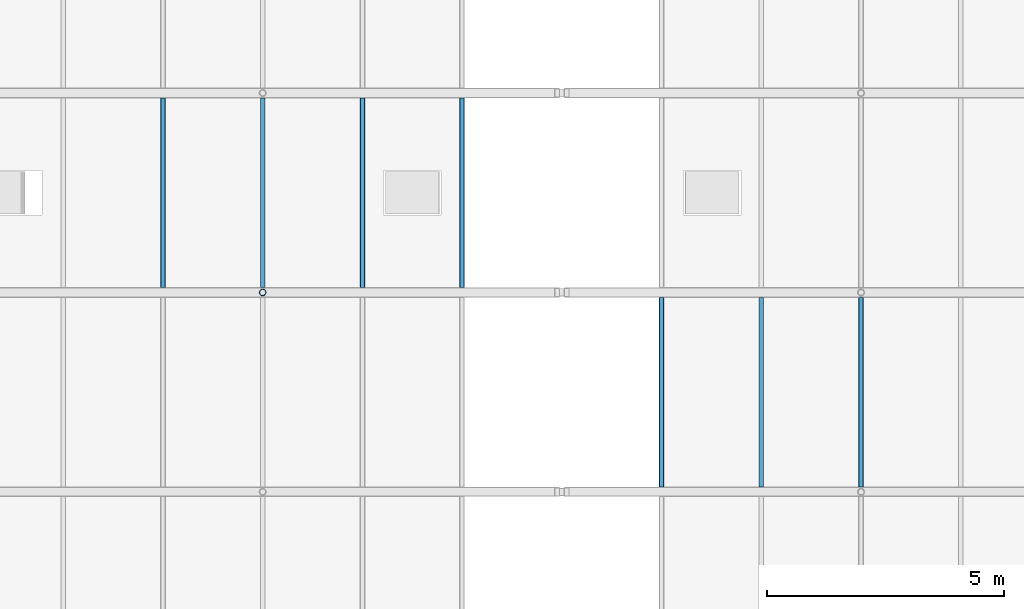
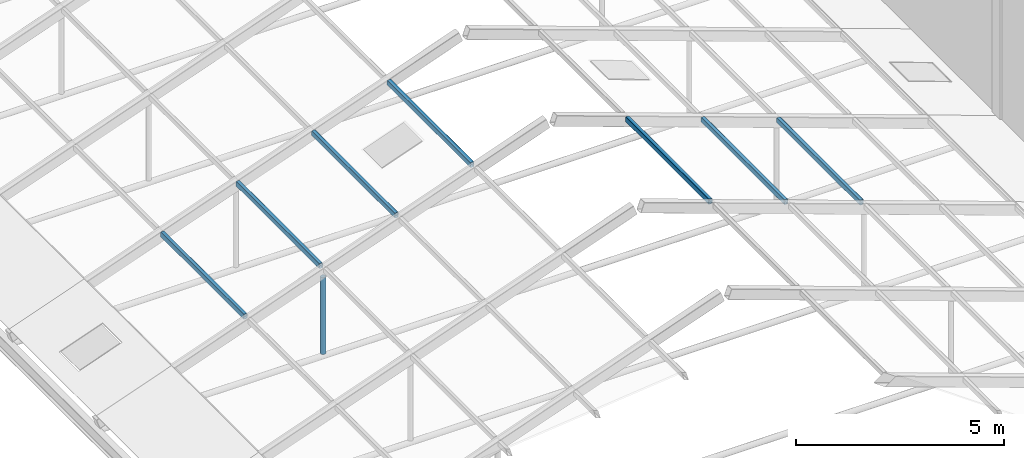
# One storey, part 54 of 116: 8 members.
"""IFC4 building model written with IfcOpenShell, lengths in metres."""

from ifc_helpers import new_model, si_unit, direction, frame, origin, origin_2d, place, context, subcontext, project, spatial, hollow_rectangle, hollow_circle, extrude, material, material_profile, profile_set, type_object, element, save


model = new_model("IFC4")

# Units and contexts
model_context = context("Model", 3, precision=1e-05, world=origin(), true_north=direction((0.0, 1.0)))
body_context = subcontext(model_context, "Body", "Model", "MODEL_VIEW")
ifc_project = project(units=[si_unit("LENGTHUNIT", "METRE"), si_unit("AREAUNIT", "SQUARE_METRE"), si_unit("VOLUMEUNIT", "CUBIC_METRE"), si_unit("PLANEANGLEUNIT", "RADIAN"), si_unit("MASSUNIT", "GRAM", prefix="KILO")], contexts=[model_context])

# Site, building, storey
site_placement = place(None, origin())
site = spatial("IfcSite", under=ifc_project, at=site_placement, CompositionType="ELEMENT")
building_placement = place(site_placement, origin())
building = spatial("IfcBuilding", under=site, at=building_placement, Name="Fescue Hill Polytechnic", CompositionType="ELEMENT")
storey_placement = place(building_placement, frame((0.0, 0.0, 13.5)))
storey = spatial("IfcBuildingStorey", under=building, at=storey_placement, Name="L03", CompositionType="ELEMENT", Elevation=13.5)

# Members
ifc_material = material(Name="Steel 350W (350 MPa)", Category="steel")
ifc_material_profile_1 = material_profile(ifc_material, hollow_rectangle(XDim=0.1015625, YDim=0.15234375, WallThickness=0.00634765625, InnerFilletRadius=0.00634765625, OuterFilletRadius=0.0126953125, at=origin_2d()), Name="Winter garden glazing purlin HSS 152x102x6.4")
ifc_profile_set_1 = profile_set([ifc_material_profile_1], Name="Steel 350W (350 MPa)")
member_type_1 = type_object("IfcMemberType", Name="Winter garden glazing purlin HSS 152x102x6.4", PredefinedType="PURLIN", material=ifc_profile_set_1)
for number, where, z_axis, x_axis, name in (
    (1, (96.599853515625, 84.1015625, 2.164306640625), (0.0, 1.0, 0.0), (-1.0, 0.0, 0.0), "Winter garden glazing purlin W2 bay 9"),
    (2, (98.69970703125, 84.1015625, 2.914306640625), (0.0, 1.0, 0.0), (-1.0, 0.0, 0.0), "Winter garden glazing purlin W3 bay 9"),
    (3, (100.799560546875, 84.1015625, 3.664306640625), (0.0, 1.0, 0.0), (-1.0, 0.0, 0.0), "Winter garden glazing purlin W4 bay 9"),
    (4, (102.899658203125, 84.1015625, 4.414306640625), (0.0, 1.0, 0.0), (-1.0, 0.0, 0.0), "Winter garden glazing purlin W5 bay 9"),
    (5, (111.30029296875, 79.901611328125, 2.914306640625), (0.0, 1.0, 0.0), (-1.0, 0.0, 0.0), "Winter garden glazing purlin E3 bay 8"),
    (6, (109.200439453125, 79.901611328125, 3.664306640625), (0.0, 1.0, 0.0), (-1.0, 0.0, 0.0), "Winter garden glazing purlin E4 bay 8"),
    (7, (107.100341796875, 79.901611328125, 4.414306640625), (0.0, 1.0, 0.0), (-1.0, 0.0, 0.0), "Winter garden glazing purlin E5 bay 8"),
):
    element("IfcMember", number, at=place(storey_placement, frame(where, z_axis=z_axis, x_axis=x_axis)), inside=storey, type_object=member_type_1, Name=name, PredefinedType="PURLIN", context=body_context, shape_type="SweptSolid", body=[
        extrude(hollow_rectangle(XDim=0.1015625, YDim=0.15234375, WallThickness=0.00634765625, InnerFilletRadius=0.00634765625, OuterFilletRadius=0.0126953125, at=origin_2d()), origin(), (0.0, 0.0, 1.0), 3.996826171875),
    ])
ifc_material_profile_2 = material_profile(ifc_material, hollow_circle(Radius=0.070556640625, WallThickness=0.00634765625, at=origin_2d()), Name="Winter garden queen post CHS 141x6.4")
ifc_profile_set_2 = profile_set([ifc_material_profile_2], Name="Steel 350W (350 MPa)")
member_type_2 = type_object("IfcMemberType", Name="Winter garden queen post CHS 141x6.4", PredefinedType="POST", material=ifc_profile_set_2)
member_placement = place(storey_placement, frame((98.699951171875, 84.0, 0.4169921875), z_axis=(0.0, 0.0, 1.0), x_axis=(1.0, 0.0, 0.0)))
element("IfcMember", 8, at=member_placement, inside=storey, type_object=member_type_2, Name="Winter garden queen post 9A", PredefinedType="POST", context=body_context, shape_type="SweptSolid", body=[
    extrude(hollow_circle(Radius=0.070556640625, WallThickness=0.00634765625, at=origin_2d()), origin(), (0.0, 0.0, 1.0), 2.25),
])

save(model, "model.ifc")
